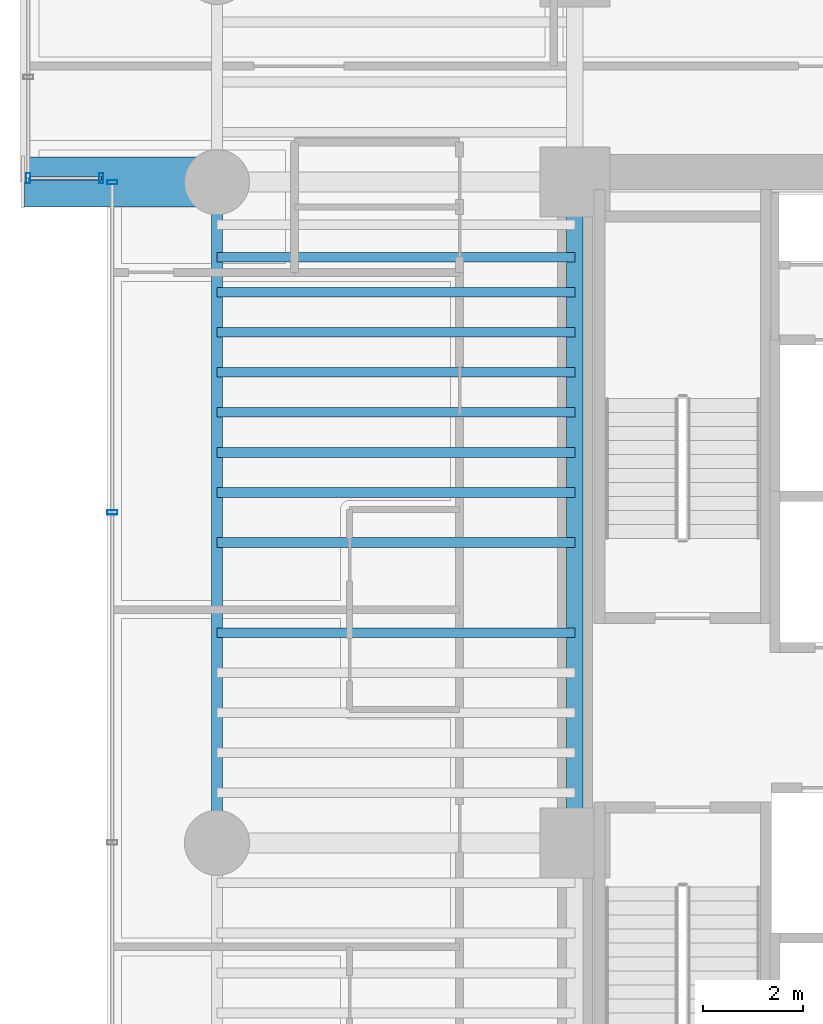
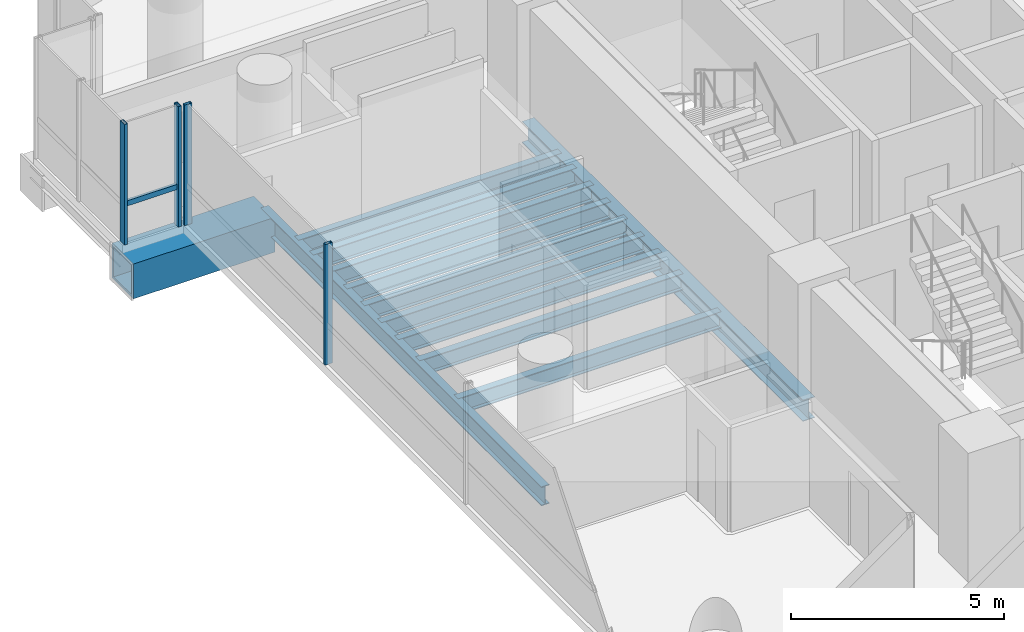
# One storey, part 10 of 41: 12 beams, 5 members, 2 elements without a shape of their own.
"""IFC4 building model written with IfcOpenShell, lengths in metres."""

from ifc_helpers import new_model, si_unit, direction, frame, origin, origin_2d, place, context, subcontext, project, spatial, hollow_rectangle, i_section, extrude, source, transform, mapped, material, material_profile, profile_set, type_object, element, aggregate, save


model = new_model("IFC4")

# Units and contexts
model_context = context("Model", 3, precision=1e-05, world=origin(), true_north=direction((0.0, 1.0)))
body_context = subcontext(model_context, "Body", "Model", "MODEL_VIEW")
ifc_project = project(units=[si_unit("LENGTHUNIT", "METRE"), si_unit("AREAUNIT", "SQUARE_METRE"), si_unit("VOLUMEUNIT", "CUBIC_METRE"), si_unit("PLANEANGLEUNIT", "RADIAN"), si_unit("MASSUNIT", "GRAM", prefix="KILO")], contexts=[model_context])

# Site, building, storey
site_placement = place(None, origin())
site = spatial("IfcSite", under=ifc_project, at=site_placement, CompositionType="ELEMENT")
building_placement = place(site_placement, origin())
building = spatial("IfcBuilding", under=site, at=building_placement, Name="Valdorenza Pilgrim Sanctuary Tower", CompositionType="ELEMENT")
storey_placement = place(building_placement, frame((0.0, 0.0, 88.89990234375)))
storey = spatial("IfcBuildingStorey", under=building, at=storey_placement, Name="L22", CompositionType="ELEMENT", Elevation=88.89990234375)

# Beams
ifc_material_1 = material(Name="Steel ASTM A992 Grade 50", Category="steel")
ifc_material_profile_1 = material_profile(ifc_material_1, i_section(OverallWidth=0.214111328125, OverallDepth=0.549072265625, WebThickness=0.0146484375, FlangeThickness=0.023681640625, at=origin_2d()), Name="W21X93")
ifc_profile_set_1 = profile_set([ifc_material_profile_1], Name="Steel ASTM A992 Grade 50")
beam_type_1 = type_object("IfcBeamType", Name="STR-BM-SPN-W21A", PredefinedType="SPANDREL", material=ifc_profile_set_1)
shared_shape_1 = source(origin(), body_context, "Body", "SweptSolid", [
    extrude(i_section(OverallWidth=0.214111328125, OverallDepth=0.549072265625, WebThickness=0.0146484375, FlangeThickness=0.023681640625, at=origin_2d()), origin(), (0.0, 0.0, 1.0), 13.2001953125),
])
beam_1_placement = place(storey_placement, frame((-29.800048828125, -2.60009765625, -0.514404296875), z_axis=(0.0, 1.0, 0.0), x_axis=(-1.0, 0.0, 0.0)))
element("IfcBeam", 1, at=beam_1_placement, inside=storey, type_object=beam_type_1, Name="L22 Spandrel Beam WA-W-M0N1", PredefinedType="SPANDREL", context=body_context, shape_type="MappedRepresentation", body=[
    mapped(shared_shape_1, transform((0.0, 0.0, 0.0), x_axis=(1.0, 0.0, 0.0), y_axis=(0.0, 1.0, 0.0), z_axis=(0.0, 0.0, 1.0), scale=1.0)),
])
ifc_material_profile_2 = material_profile(ifc_material_1, i_section(OverallWidth=0.323974609375, OverallDepth=0.611083984375, WebThickness=0.0126953125, FlangeThickness=0.01904296875, at=origin_2d()), Name="W24X104")
ifc_profile_set_2 = profile_set([ifc_material_profile_2], Name="Steel ASTM A992 Grade 50")
beam_type_2 = type_object("IfcBeamType", Name="STR-BM-GRD-W24B", PredefinedType="BEAM", material=ifc_profile_set_2)
shared_shape_2 = source(origin(), body_context, "Body", "SweptSolid", [
    extrude(i_section(OverallWidth=0.323974609375, OverallDepth=0.611083984375, WebThickness=0.0126953125, FlangeThickness=0.01904296875, at=origin_2d()), origin(), (0.0, 0.0, 1.0), 13.2001953125),
])
beam_2_placement = place(storey_placement, frame((-22.64990234375, -2.60009765625, -0.54541015625), z_axis=(0.0, 1.0, 0.0), x_axis=(-1.0, 0.0, 0.0)))
element("IfcBeam", 2, at=beam_2_placement, inside=storey, type_object=beam_type_2, Name="L22 Core Tie Girder CA-W-M0N1", PredefinedType="BEAM", context=body_context, shape_type="MappedRepresentation", body=[
    mapped(shared_shape_2, transform((0.0, 0.0, 0.0), x_axis=(1.0, 0.0, 0.0), y_axis=(0.0, 1.0, 0.0), z_axis=(0.0, 0.0, 1.0), scale=1.0)),
])
ifc_material_profile_3 = material_profile(ifc_material_1, i_section(OverallWidth=0.193115234375, OverallDepth=0.466064453125, WebThickness=0.011474609375, FlangeThickness=0.01904296875, at=origin_2d()), Name="W18X65")
ifc_profile_set_3 = profile_set([ifc_material_profile_3], Name="Steel ASTM A992 Grade 50")
beam_type_3 = type_object("IfcBeamType", Name="STR-BM-JST-W18A", PredefinedType="JOIST", material=ifc_profile_set_3)
shared_shape_3 = source(origin(), body_context, "Body", "SweptSolid", [
    extrude(i_section(OverallWidth=0.193115234375, OverallDepth=0.466064453125, WebThickness=0.011474609375, FlangeThickness=0.01904296875, at=origin_2d()), origin(), (0.0, 0.0, 1.0), 7.150146484375),
])
for number, where, z_axis, x_axis, name in (
    (3, (-29.800048828125, 1.60009765625, -0.472900390625), (1.0, 0.0, 0.0), (0.0, 1.0, 0.0), "L22 Composite Floor Joist JST-WA-14"),
    (4, (-29.800048828125, 3.39990234375, -0.472900390625), (1.0, 0.0, 0.0), (0.0, 1.0, 0.0), "L22 Composite Floor Joist JST-WA-15"),
    (5, (-29.800048828125, 4.39990234375, -0.472900390625), (1.0, 0.0, 0.0), (0.0, 1.0, 0.0), "L22 Composite Floor Joist JST-WA-16"),
    (6, (-29.800048828125, 5.199951171875, -0.472900390625), (1.0, 0.0, 0.0), (0.0, 1.0, 0.0), "L22 Composite Floor Joist JST-WA-17"),
    (7, (-29.800048828125, 6.0, -0.472900390625), (1.0, 0.0, 0.0), (0.0, 1.0, 0.0), "L22 Composite Floor Joist JST-WA-18"),
    (8, (-29.800048828125, 6.800048828125, -0.472900390625), (1.0, 0.0, 0.0), (0.0, 1.0, 0.0), "L22 Composite Floor Joist JST-WA-19"),
    (9, (-29.800048828125, 7.60009765625, -0.472900390625), (1.0, 0.0, 0.0), (0.0, 1.0, 0.0), "L22 Composite Floor Joist JST-WA-20"),
    (10, (-29.800048828125, 8.39990234375, -0.472900390625), (1.0, 0.0, 0.0), (0.0, 1.0, 0.0), "L22 Composite Floor Joist JST-WA-21"),
    (11, (-29.800048828125, 9.10009765625, -0.472900390625), (1.0, 0.0, 0.0), (0.0, 1.0, 0.0), "L22 Composite Floor Joist JST-WA-22"),
):
    element("IfcBeam", number, at=place(storey_placement, frame(where, z_axis=z_axis, x_axis=x_axis)), inside=storey, type_object=beam_type_3, Name=name, PredefinedType="JOIST", context=body_context, shape_type="MappedRepresentation", body=[
        mapped(shared_shape_3, transform((0.0, 0.0, 0.0), x_axis=(1.0, 0.0, 0.0), y_axis=(0.0, 1.0, 0.0), z_axis=(0.0, 0.0, 1.0), scale=1.0)),
    ])
ifc_material_2 = material(Name="Steel ASTM A572 Grade 42", Category="steel")
ifc_material_profile_4 = material_profile(ifc_material_2, hollow_rectangle(XDim=1.0, YDim=1.0, WallThickness=0.080078125, at=origin_2d()), Name="BOX 1000x1000x80")
ifc_profile_set_4 = profile_set([ifc_material_profile_4], Name="Steel ASTM A572 Grade 42")
beam_type_4 = type_object("IfcBeamType", Name="STR-BM-PROW-CANT", PredefinedType="BEAM", material=ifc_profile_set_4)
shared_shape_4 = source(origin(), body_context, "Body", "SweptSolid", [
    extrude(hollow_rectangle(XDim=1.0, YDim=1.0, WallThickness=0.080078125, at=origin_2d()), origin(), (0.0, 0.0, 1.0), 3.849853515625),
])
beam_3_placement = place(storey_placement, frame((-29.800048828125, 10.60009765625, -0.739990234375), z_axis=(-1.0, 0.0, 0.0), x_axis=(0.0, -1.0, 0.0)))
element("IfcBeam", 12, at=beam_3_placement, inside=storey, type_object=beam_type_4, Name="L22 Glass Box Cantilever Beam BOX-WA-L22-CT-S", PredefinedType="BEAM", context=body_context, shape_type="MappedRepresentation", body=[
    mapped(shared_shape_4, transform((0.0, 0.0, 0.0), x_axis=(1.0, 0.0, 0.0), y_axis=(0.0, 1.0, 0.0), z_axis=(0.0, 0.0, 1.0), scale=1.0)),
])

# Curtain wall, member
ifc_material_3 = material(Name="Curtain-wall IGU glazing", Category="glass")
curtain_wall_type = type_object("IfcCurtainWallType", Name="CW-SYS-02", PredefinedType="NOTDEFINED", material=ifc_material_3)
curtain_wall_1_placement = place(storey_placement, origin())
curtain_wall_1 = element("IfcCurtainWall", 13, at=curtain_wall_1_placement, inside=storey, type_object=curtain_wall_type, Name="L22 Curtain Wall CW-L22-BOX-WA-L22-S", PredefinedType="NOTDEFINED")
ifc_material_4 = material(Name="Anodised aluminium AW-6060", Category="aluminium")
ifc_material_profile_5 = material_profile(ifc_material_4, hollow_rectangle(XDim=0.074951171875, YDim=0.14990234375, WallThickness=0.00390625, at=origin_2d()), Name="ALU-T 150x75x4")
ifc_profile_set_5 = profile_set([ifc_material_profile_5], Name="Anodised aluminium AW-6060")
member_type_1 = type_object("IfcMemberType", Name="CW-TRN-02", PredefinedType="USERDEFINED", material=ifc_profile_set_5)
shared_shape_5 = source(origin(), body_context, "Body", "SweptSolid", [
    extrude(hollow_rectangle(XDim=0.074951171875, YDim=0.14990234375, WallThickness=0.00390625, at=origin_2d()), origin(), (0.0, 0.0, 1.0), 1.4599609375),
])
member_1_placement = place(storey_placement, frame((-32.110107421875, 10.679931640625, 1.1201171875), z_axis=(-1.0, 0.0, 0.0), x_axis=(0.0, -1.0, 0.0)))
member_1 = element("IfcMember", 14, at=member_1_placement, type_object=member_type_1, Name="CW-L22-BOX-WA-L22-S Transom 1", ObjectType="TRANSOM", PredefinedType="USERDEFINED", context=body_context, shape_type="MappedRepresentation", body=[
    mapped(shared_shape_5, transform((0.0, 0.0, 0.0), x_axis=(1.0, 0.0, 0.0), y_axis=(0.0, 1.0, 0.0), z_axis=(0.0, 0.0, 1.0), scale=1.0)),
])

# Curtain wall, members
curtain_wall_2_placement = place(storey_placement, origin())
curtain_wall_2 = element("IfcCurtainWall", 15, at=curtain_wall_2_placement, inside=storey, type_object=curtain_wall_type, Name="L22 Curtain Wall CW-L22-1-1S1", PredefinedType="NOTDEFINED")
ifc_material_profile_6 = material_profile(ifc_material_4, hollow_rectangle(XDim=0.0849609375, YDim=0.199951171875, WallThickness=0.0048828125, at=origin_2d()), Name="ALU-M 200x85x5")
ifc_profile_set_6 = profile_set([ifc_material_profile_6], Name="Anodised aluminium AW-6060")
member_type_2 = type_object("IfcMemberType", Name="CW-MUL-02", PredefinedType="MULLION", material=ifc_profile_set_6)
shared_shape_6 = source(origin(), body_context, "Body", "SweptSolid", [
    extrude(hollow_rectangle(XDim=0.0849609375, YDim=0.199951171875, WallThickness=0.0048828125, at=origin_2d()), origin(), (0.0, 0.0, 1.0), 3.460205078125),
])
member_2_placement = place(storey_placement, frame((-31.889892578125, 4.002685546875, 0.0), z_axis=(0.0, 0.0, 1.0), x_axis=(0.0, 1.0, 0.0)))
member_2 = element("IfcMember", 16, at=member_2_placement, type_object=member_type_2, Name="CW-L22-1-1S1 Mullion 4", PredefinedType="MULLION", context=body_context, shape_type="MappedRepresentation", body=[
    mapped(shared_shape_6, transform((0.0, 0.0, 0.0), x_axis=(1.0, 0.0, 0.0), y_axis=(0.0, 1.0, 0.0), z_axis=(0.0, 0.0, 1.0), scale=1.0)),
])
member_3_placement = place(storey_placement, frame((-31.889892578125, 10.60009765625, 0.0), z_axis=(0.0, 0.0, 1.0), x_axis=(0.0, 1.0, 0.0)))
member_3 = element("IfcMember", 17, at=member_3_placement, type_object=member_type_2, Name="CW-L22-1-1S1 Mullion 5", PredefinedType="MULLION", context=body_context, shape_type="MappedRepresentation", body=[
    mapped(shared_shape_6, transform((0.0, 0.0, 0.0), x_axis=(1.0, 0.0, 0.0), y_axis=(0.0, 1.0, 0.0), z_axis=(0.0, 0.0, 1.0), scale=1.0)),
])
aggregate(curtain_wall_2, [member_2, member_3])

# Member
member_4_placement = place(storey_placement, frame((-32.110107421875, 10.679931640625, 0.0), z_axis=(0.0, 0.0, 1.0), x_axis=(-1.0, 0.0, 0.0)))
member_4 = element("IfcMember", 18, at=member_4_placement, type_object=member_type_2, Name="CW-L22-BOX-WA-L22-S Mullion 1", PredefinedType="MULLION", context=body_context, shape_type="MappedRepresentation", body=[
    mapped(shared_shape_6, transform((0.0, 0.0, 0.0), x_axis=(1.0, 0.0, 0.0), y_axis=(0.0, 1.0, 0.0), z_axis=(0.0, 0.0, 1.0), scale=1.0)),
])

member_5_placement = place(storey_placement, frame((-33.570068359375, 10.679931640625, 0.0), z_axis=(0.0, 0.0, 1.0), x_axis=(-1.0, 0.0, 0.0)))
member_5 = element("IfcMember", 19, at=member_5_placement, type_object=member_type_2, Name="CW-L22-BOX-WA-L22-S Mullion 2", PredefinedType="MULLION", context=body_context, shape_type="MappedRepresentation", body=[
    mapped(shared_shape_6, transform((0.0, 0.0, 0.0), x_axis=(1.0, 0.0, 0.0), y_axis=(0.0, 1.0, 0.0), z_axis=(0.0, 0.0, 1.0), scale=1.0)),
])

aggregate(curtain_wall_1, [member_4, member_5, member_1])

save(model, "model.ifc")
